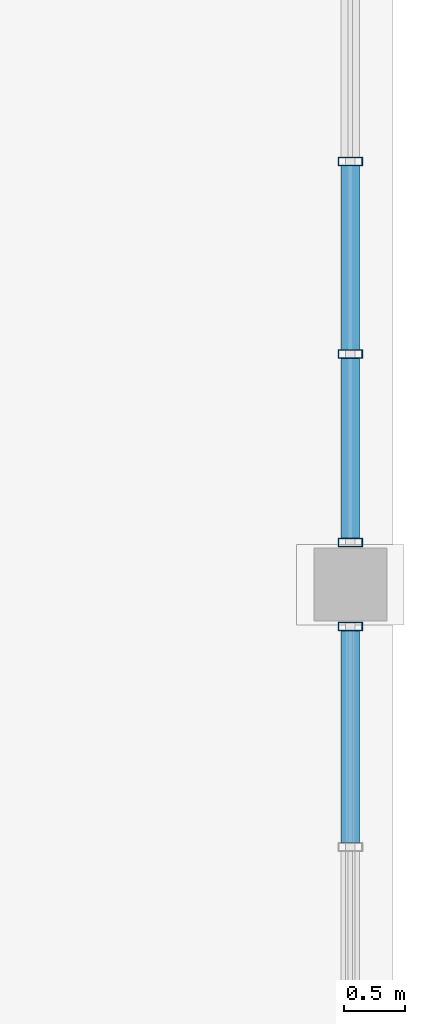
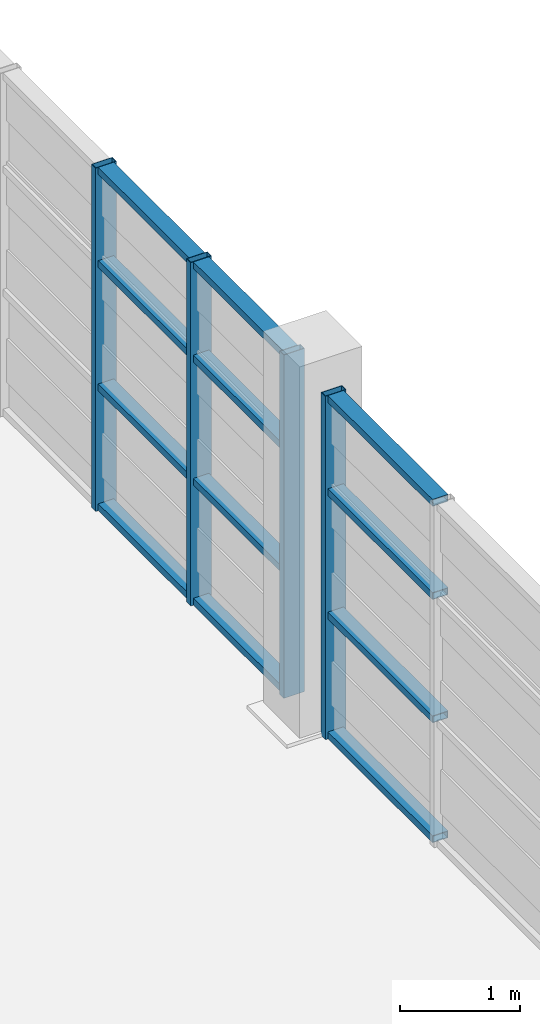
# One storey, part 7 of 24: 16 members, 2 elements without a shape of their own.
"""IFC4 building model written with IfcOpenShell, lengths in metres."""

from ifc_helpers import new_model, si_unit, direction, frame, origin, origin_2d, place, context, subcontext, project, spatial, hollow_rectangle, extrude, source, transform, mapped, material, layer, layer_set, material_profile, profile_set, type_object, element, aggregate, save


model = new_model("IFC4")

# Units and contexts
model_context = context("Model", 3, precision=1e-05, world=origin(), true_north=direction((0.0, 1.0)))
body_context = subcontext(model_context, "Body", "Model", "MODEL_VIEW")
ifc_project = project(units=[si_unit("LENGTHUNIT", "METRE"), si_unit("AREAUNIT", "SQUARE_METRE"), si_unit("VOLUMEUNIT", "CUBIC_METRE"), si_unit("PLANEANGLEUNIT", "RADIAN"), si_unit("MASSUNIT", "GRAM", prefix="KILO")], contexts=[model_context])

# Site, building, storey
site_placement = place(None, origin())
site = spatial("IfcSite", under=ifc_project, at=site_placement, CompositionType="ELEMENT")
building_placement = place(site_placement, origin())
building = spatial("IfcBuilding", under=site, at=building_placement, Name="Saelheon Loggia Tower", CompositionType="ELEMENT")
storey_placement = place(building_placement, frame((0.0, 0.0, 252.199951171875)))
storey = spatial("IfcBuildingStorey", under=building, at=storey_placement, Name="CR1", CompositionType="ELEMENT", Elevation=252.199951171875)

# Curtain wall, member
ifc_material_1 = material(Name="Bronze-Anodised Aluminium and Fritted Ceramic Screen", Category="aluminium")
ifc_layer = layer(ifc_material_1, 0.219970703125)
ifc_layer_set = layer_set([ifc_layer], Name="Bronze-Anodised Aluminium and Fritted Ceramic Screen")
curtain_wall_type = type_object("IfcCurtainWallType", Name="CW_CrownScreen", PredefinedType="NOTDEFINED", material=ifc_layer_set)
curtain_wall_1_placement = place(storey_placement, origin())
curtain_wall_1 = element("IfcCurtainWall", 1, at=curtain_wall_1_placement, inside=storey, type_object=curtain_wall_type, Name="CR1 Crown Screen Curtain Wall 3-1", PredefinedType="NOTDEFINED")
ifc_material_2 = material(Name="Bronze-Anodised Aluminium 6063-T6", Category="aluminium")
ifc_material_profile_1 = material_profile(ifc_material_2, hollow_rectangle(XDim=0.070068359375, YDim=0.199951171875, WallThickness=0.0048828125, at=origin_2d()), Name="RHS-200x70x5")
ifc_profile_set_1 = profile_set([ifc_material_profile_1], Name="Bronze-Anodised Aluminium 6063-T6")
member_type_1 = type_object("IfcMemberType", Name="CW_CrownScreen_Mullion", PredefinedType="MULLION", material=ifc_profile_set_1)
shared_shape_1 = source(origin(), body_context, "Body", "SweptSolid", [
    extrude(hollow_rectangle(XDim=0.070068359375, YDim=0.199951171875, WallThickness=0.0048828125, at=origin_2d()), origin(), (0.0, 0.0, 1.0), 3.47998046875),
])
member_1_placement = place(storey_placement, frame((52.64990234375, 17.655029296875, 0.0), z_axis=(0.0, 0.0, 1.0), x_axis=(0.0, 1.0, 0.0)))
member_1 = element("IfcMember", 2, at=member_1_placement, type_object=member_type_1, Name="CW6 mullion 4", PredefinedType="MULLION", context=body_context, shape_type="MappedRepresentation", body=[
    mapped(shared_shape_1, transform((0.0, 0.0, 0.0), scale=1.0)),
])

# Curtain wall, members
curtain_wall_2_placement = place(storey_placement, origin())
curtain_wall_2 = element("IfcCurtainWall", 3, at=curtain_wall_2_placement, inside=storey, type_object=curtain_wall_type, Name="CR1 Crown Screen Curtain Wall 3-2", PredefinedType="NOTDEFINED")
member_2_placement = place(storey_placement, frame((52.64990234375, 18.344970703125, 0.0), z_axis=(0.0, 0.0, 1.0), x_axis=(0.0, 1.0, 0.0)))
member_2 = element("IfcMember", 4, at=member_2_placement, type_object=member_type_1, Name="CW6 mullion 1", PredefinedType="MULLION", context=body_context, shape_type="MappedRepresentation", body=[
    mapped(shared_shape_1, transform((0.0, 0.0, 0.0), scale=1.0)),
])
member_3_placement = place(storey_placement, frame((52.64990234375, 19.889892578125, 0.0), z_axis=(0.0, 0.0, 1.0), x_axis=(0.0, 1.0, 0.0)))
member_3 = element("IfcMember", 5, at=member_3_placement, type_object=member_type_1, Name="CW6 mullion 2", PredefinedType="MULLION", context=body_context, shape_type="MappedRepresentation", body=[
    mapped(shared_shape_1, transform((0.0, 0.0, 0.0), scale=1.0)),
])
member_4_placement = place(storey_placement, frame((52.64990234375, 21.469970703125, 0.0), z_axis=(0.0, 0.0, 1.0), x_axis=(0.0, 1.0, 0.0)))
member_4 = element("IfcMember", 6, at=member_4_placement, type_object=member_type_1, Name="CW6 mullion 3", PredefinedType="MULLION", context=body_context, shape_type="MappedRepresentation", body=[
    mapped(shared_shape_1, transform((0.0, 0.0, 0.0), scale=1.0)),
])

# Member
ifc_material_profile_2 = material_profile(ifc_material_2, hollow_rectangle(XDim=0.070068359375, YDim=0.14990234375, WallThickness=0.0048828125, at=origin_2d()), Name="RHS-150x70x5")
ifc_profile_set_2 = profile_set([ifc_material_profile_2], Name="Bronze-Anodised Aluminium 6063-T6")
member_type_2 = type_object("IfcMemberType", Name="CW_CrownScreen_Transom", PredefinedType="USERDEFINED", material=ifc_profile_set_2)
shared_shape_2 = source(origin(), body_context, "Body", "SweptSolid", [
    extrude(hollow_rectangle(XDim=0.070068359375, YDim=0.14990234375, WallThickness=0.0048828125, at=origin_2d()), origin(), (0.0, 0.0, 1.0), 1.738525390625),
])
member_5_placement = place(storey_placement, frame((52.64990234375, 15.881591796875, 0.03515625), z_axis=(0.0, 1.0, 0.0), x_axis=(0.0, 0.0, 1.0)))
member_5 = element("IfcMember", 7, at=member_5_placement, type_object=member_type_2, Name="CW6 transom 3.1", ObjectType="TRANSOM", PredefinedType="USERDEFINED", context=body_context, shape_type="MappedRepresentation", body=[
    mapped(shared_shape_2, transform((0.0, 0.0, 0.0), scale=1.0)),
])

member_6_placement = place(storey_placement, frame((52.64990234375, 15.881591796875, 1.25), z_axis=(0.0, 1.0, 0.0), x_axis=(0.0, 0.0, 1.0)))
member_6 = element("IfcMember", 8, at=member_6_placement, type_object=member_type_2, Name="CW6 transom 3.2", ObjectType="TRANSOM", PredefinedType="USERDEFINED", context=body_context, shape_type="MappedRepresentation", body=[
    mapped(shared_shape_2, transform((0.0, 0.0, 0.0), scale=1.0)),
])

member_7_placement = place(storey_placement, frame((52.64990234375, 15.881591796875, 2.5), z_axis=(0.0, 1.0, 0.0), x_axis=(0.0, 0.0, 1.0)))
member_7 = element("IfcMember", 9, at=member_7_placement, type_object=member_type_2, Name="CW6 transom 3.3", ObjectType="TRANSOM", PredefinedType="USERDEFINED", context=body_context, shape_type="MappedRepresentation", body=[
    mapped(shared_shape_2, transform((0.0, 0.0, 0.0), scale=1.0)),
])

member_8_placement = place(storey_placement, frame((52.64990234375, 15.881591796875, 3.445068359375), z_axis=(0.0, 1.0, 0.0), x_axis=(0.0, 0.0, 1.0)))
member_8 = element("IfcMember", 10, at=member_8_placement, type_object=member_type_2, Name="CW6 transom 3.4", ObjectType="TRANSOM", PredefinedType="USERDEFINED", context=body_context, shape_type="MappedRepresentation", body=[
    mapped(shared_shape_2, transform((0.0, 0.0, 0.0), scale=1.0)),
])

aggregate(curtain_wall_1, [member_1, member_5, member_6, member_7, member_8])

shared_shape_3 = source(origin(), body_context, "Body", "SweptSolid", [
    extrude(hollow_rectangle(XDim=0.070068359375, YDim=0.14990234375, WallThickness=0.0048828125, at=origin_2d()), origin(), (0.0, 0.0, 1.0), 1.47509765625),
])
member_9_placement = place(storey_placement, frame((52.64990234375, 18.3798828125, 0.03515625), z_axis=(0.0, 1.0, 0.0), x_axis=(0.0, 0.0, 1.0)))
member_9 = element("IfcMember", 11, at=member_9_placement, type_object=member_type_2, Name="CW6 transom 1.1", ObjectType="TRANSOM", PredefinedType="USERDEFINED", context=body_context, shape_type="MappedRepresentation", body=[
    mapped(shared_shape_3, transform((0.0, 0.0, 0.0), scale=1.0)),
])

member_10_placement = place(storey_placement, frame((52.64990234375, 18.3798828125, 1.25), z_axis=(0.0, 1.0, 0.0), x_axis=(0.0, 0.0, 1.0)))
member_10 = element("IfcMember", 12, at=member_10_placement, type_object=member_type_2, Name="CW6 transom 1.2", ObjectType="TRANSOM", PredefinedType="USERDEFINED", context=body_context, shape_type="MappedRepresentation", body=[
    mapped(shared_shape_3, transform((0.0, 0.0, 0.0), scale=1.0)),
])

member_11_placement = place(storey_placement, frame((52.64990234375, 18.3798828125, 2.5), z_axis=(0.0, 1.0, 0.0), x_axis=(0.0, 0.0, 1.0)))
member_11 = element("IfcMember", 13, at=member_11_placement, type_object=member_type_2, Name="CW6 transom 1.3", ObjectType="TRANSOM", PredefinedType="USERDEFINED", context=body_context, shape_type="MappedRepresentation", body=[
    mapped(shared_shape_3, transform((0.0, 0.0, 0.0), scale=1.0)),
])

member_12_placement = place(storey_placement, frame((52.64990234375, 18.3798828125, 3.445068359375), z_axis=(0.0, 1.0, 0.0), x_axis=(0.0, 0.0, 1.0)))
member_12 = element("IfcMember", 14, at=member_12_placement, type_object=member_type_2, Name="CW6 transom 1.4", ObjectType="TRANSOM", PredefinedType="USERDEFINED", context=body_context, shape_type="MappedRepresentation", body=[
    mapped(shared_shape_3, transform((0.0, 0.0, 0.0), scale=1.0)),
])

shared_shape_4 = source(origin(), body_context, "Body", "SweptSolid", [
    extrude(hollow_rectangle(XDim=0.070068359375, YDim=0.14990234375, WallThickness=0.0048828125, at=origin_2d()), origin(), (0.0, 0.0, 1.0), 1.510009765625),
])
member_13_placement = place(storey_placement, frame((52.64990234375, 19.925048828125, 0.03515625), z_axis=(0.0, 1.0, 0.0), x_axis=(0.0, 0.0, 1.0)))
member_13 = element("IfcMember", 15, at=member_13_placement, type_object=member_type_2, Name="CW6 transom 2.1", ObjectType="TRANSOM", PredefinedType="USERDEFINED", context=body_context, shape_type="MappedRepresentation", body=[
    mapped(shared_shape_4, transform((0.0, 0.0, 0.0), scale=1.0)),
])

member_14_placement = place(storey_placement, frame((52.64990234375, 19.925048828125, 1.25), z_axis=(0.0, 1.0, 0.0), x_axis=(0.0, 0.0, 1.0)))
member_14 = element("IfcMember", 16, at=member_14_placement, type_object=member_type_2, Name="CW6 transom 2.2", ObjectType="TRANSOM", PredefinedType="USERDEFINED", context=body_context, shape_type="MappedRepresentation", body=[
    mapped(shared_shape_4, transform((0.0, 0.0, 0.0), scale=1.0)),
])

member_15_placement = place(storey_placement, frame((52.64990234375, 19.925048828125, 2.5), z_axis=(0.0, 1.0, 0.0), x_axis=(0.0, 0.0, 1.0)))
member_15 = element("IfcMember", 17, at=member_15_placement, type_object=member_type_2, Name="CW6 transom 2.3", ObjectType="TRANSOM", PredefinedType="USERDEFINED", context=body_context, shape_type="MappedRepresentation", body=[
    mapped(shared_shape_4, transform((0.0, 0.0, 0.0), scale=1.0)),
])

member_16_placement = place(storey_placement, frame((52.64990234375, 19.925048828125, 3.445068359375), z_axis=(0.0, 1.0, 0.0), x_axis=(0.0, 0.0, 1.0)))
member_16 = element("IfcMember", 18, at=member_16_placement, type_object=member_type_2, Name="CW6 transom 2.4", ObjectType="TRANSOM", PredefinedType="USERDEFINED", context=body_context, shape_type="MappedRepresentation", body=[
    mapped(shared_shape_4, transform((0.0, 0.0, 0.0), scale=1.0)),
])

aggregate(curtain_wall_2, [member_2, member_3, member_4, member_9, member_10, member_11, member_12, member_13, member_14, member_15, member_16])

save(model, "model.ifc")
